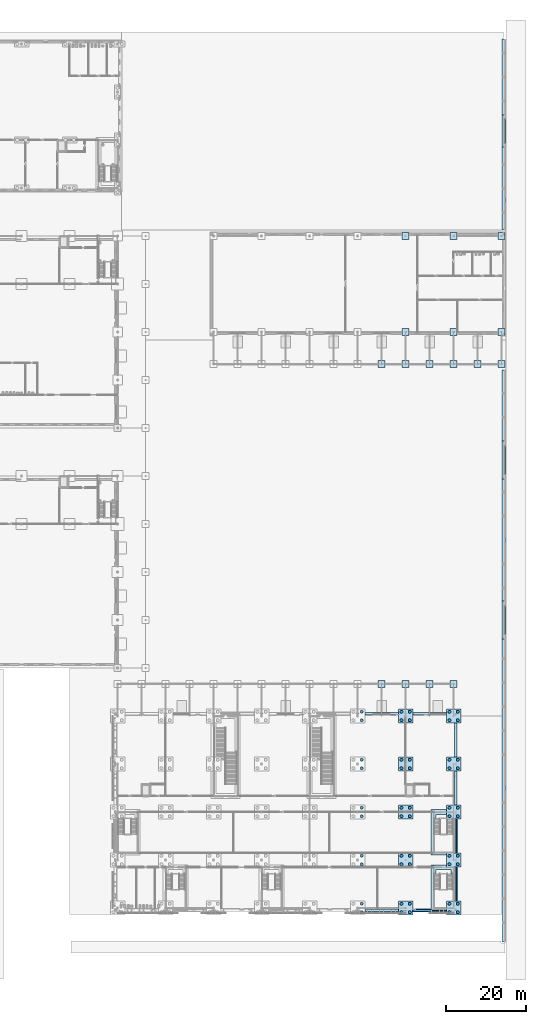
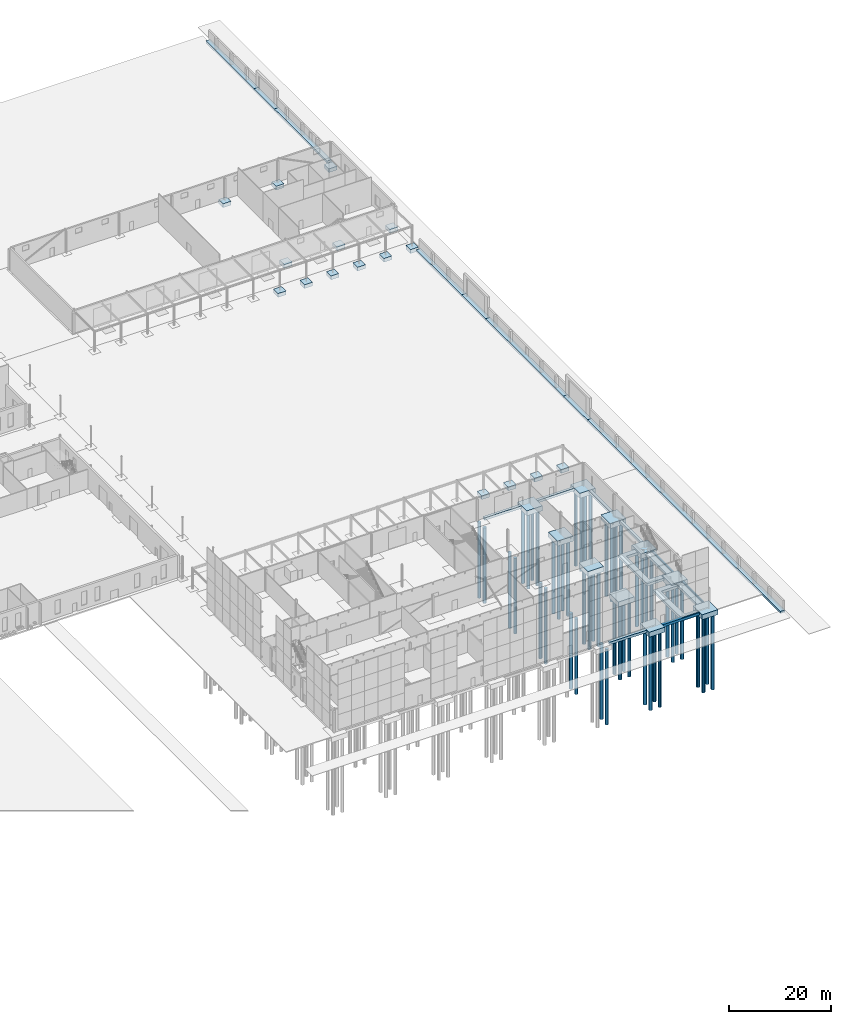
# One storey, part 7 of 132: 50 piles, 44 footings.
"""IFC4 building model written with IfcOpenShell, lengths in metres."""

from ifc_helpers import new_model, si_unit, direction, frame, origin, origin_2d, place, context, subcontext, project, spatial, polyline, rectangle, circle, outline, extrude, material, material_profile, profile_set, type_object, element, save


model = new_model("IFC4")

# Units and contexts
model_context = context("Model", 3, precision=1e-05, world=origin(), true_north=direction((0.0, 1.0)))
body_context = subcontext(model_context, "Body", "Model", "MODEL_VIEW")
ifc_project = project(units=[si_unit("LENGTHUNIT", "METRE"), si_unit("AREAUNIT", "SQUARE_METRE"), si_unit("VOLUMEUNIT", "CUBIC_METRE"), si_unit("PLANEANGLEUNIT", "RADIAN"), si_unit("MASSUNIT", "GRAM", prefix="KILO")], contexts=[model_context])

# Site, building, storey
site_placement = place(None, origin())
site = spatial("IfcSite", under=ifc_project, at=site_placement, CompositionType="ELEMENT")
building_placement = place(site_placement, origin())
building = spatial("IfcBuilding", under=site, at=building_placement, Name="Ravi Spectrum Wholesale Market", CompositionType="ELEMENT")
storey_placement = place(building_placement, origin())
storey = spatial("IfcBuildingStorey", under=building, at=storey_placement, Name="L00", CompositionType="ELEMENT", Elevation=0.0)

# Piles
ifc_material_1 = material(Name="Concrete C35/45", Category="concrete")
ifc_material_profile = material_profile(ifc_material_1, circle(Radius=0.375, at=origin_2d()))
ifc_profile_set = profile_set([ifc_material_profile], Name="Concrete C35/45")
pile_type = type_object("IfcPileType", Name="Bored pile D750", PredefinedType="BORED", material=ifc_profile_set)
for number, where, z_axis, x_axis, name in (
    (1, (259.050048828125, 16.949951171875, -1.10009765625), (0.0, 0.0, -1.0), (1.0, 0.0, 0.0), "CS-PL-L00-102"),
    (2, (259.050048828125, 19.050048828125, -1.10009765625), (0.0, 0.0, -1.0), (1.0, 0.0, 0.0), "CS-PL-L00-103"),
    (3, (259.050048828125, 28.949951171875, -1.10009765625), (0.0, 0.0, -1.0), (1.0, 0.0, 0.0), "CS-PL-L00-106"),
    (4, (259.050048828125, 31.050048828125, -1.10009765625), (0.0, 0.0, -1.0), (1.0, 0.0, 0.0), "CS-PL-L00-107"),
    (5, (259.050048828125, 40.949951171875, -1.10009765625), (0.0, 0.0, -1.0), (1.0, 0.0, 0.0), "CS-PL-L00-110"),
    (6, (259.050048828125, 43.050048828125, -1.10009765625), (0.0, 0.0, -1.0), (1.0, 0.0, 0.0), "CS-PL-L00-111"),
    (7, (259.050048828125, 52.949951171875, -1.10009765625), (0.0, 0.0, -1.0), (1.0, 0.0, 0.0), "CS-PL-L00-114"),
    (8, (259.050048828125, 55.050048828125, -1.10009765625), (0.0, 0.0, -1.0), (1.0, 0.0, 0.0), "CS-PL-L00-115"),
    (9, (259.050048828125, 64.949951171875, -1.10009765625), (0.0, 0.0, -1.0), (1.0, 0.0, 0.0), "CS-PL-L00-118"),
    (10, (259.050048828125, 67.050048828125, -1.10009765625), (0.0, 0.0, -1.0), (1.0, 0.0, 0.0), "CS-PL-L00-119"),
    (11, (268.949951171875, 16.949951171875, -1.10009765625), (0.0, 0.0, -1.0), (1.0, 0.0, 0.0), "CS-PL-L00-121"),
    (12, (271.050048828125, 16.949951171875, -1.10009765625), (0.0, 0.0, -1.0), (1.0, 0.0, 0.0), "CS-PL-L00-122"),
    (13, (271.050048828125, 19.050048828125, -1.10009765625), (0.0, 0.0, -1.0), (1.0, 0.0, 0.0), "CS-PL-L00-123"),
    (14, (268.949951171875, 19.050048828125, -1.10009765625), (0.0, 0.0, -1.0), (1.0, 0.0, 0.0), "CS-PL-L00-124"),
    (15, (268.949951171875, 28.949951171875, -1.10009765625), (0.0, 0.0, -1.0), (1.0, 0.0, 0.0), "CS-PL-L00-125"),
    (16, (271.050048828125, 28.949951171875, -1.10009765625), (0.0, 0.0, -1.0), (1.0, 0.0, 0.0), "CS-PL-L00-126"),
    (17, (271.050048828125, 31.050048828125, -1.10009765625), (0.0, 0.0, -1.0), (1.0, 0.0, 0.0), "CS-PL-L00-127"),
    (18, (268.949951171875, 31.050048828125, -1.10009765625), (0.0, 0.0, -1.0), (1.0, 0.0, 0.0), "CS-PL-L00-128"),
    (19, (268.949951171875, 40.949951171875, -1.10009765625), (0.0, 0.0, -1.0), (1.0, 0.0, 0.0), "CS-PL-L00-129"),
    (20, (271.050048828125, 40.949951171875, -1.10009765625), (0.0, 0.0, -1.0), (1.0, 0.0, 0.0), "CS-PL-L00-130"),
    (21, (271.050048828125, 43.050048828125, -1.10009765625), (0.0, 0.0, -1.0), (1.0, 0.0, 0.0), "CS-PL-L00-131"),
    (22, (268.949951171875, 43.050048828125, -1.10009765625), (0.0, 0.0, -1.0), (1.0, 0.0, 0.0), "CS-PL-L00-132"),
    (23, (268.949951171875, 52.949951171875, -1.10009765625), (0.0, 0.0, -1.0), (1.0, 0.0, 0.0), "CS-PL-L00-133"),
    (24, (271.050048828125, 52.949951171875, -1.10009765625), (0.0, 0.0, -1.0), (1.0, 0.0, 0.0), "CS-PL-L00-134"),
    (25, (271.050048828125, 55.050048828125, -1.10009765625), (0.0, 0.0, -1.0), (1.0, 0.0, 0.0), "CS-PL-L00-135"),
    (26, (268.949951171875, 55.050048828125, -1.10009765625), (0.0, 0.0, -1.0), (1.0, 0.0, 0.0), "CS-PL-L00-136"),
    (27, (268.949951171875, 64.949951171875, -1.10009765625), (0.0, 0.0, -1.0), (1.0, 0.0, 0.0), "CS-PL-L00-137"),
    (28, (271.050048828125, 64.949951171875, -1.10009765625), (0.0, 0.0, -1.0), (1.0, 0.0, 0.0), "CS-PL-L00-138"),
    (29, (271.050048828125, 67.050048828125, -1.10009765625), (0.0, 0.0, -1.0), (1.0, 0.0, 0.0), "CS-PL-L00-139"),
    (30, (268.949951171875, 67.050048828125, -1.10009765625), (0.0, 0.0, -1.0), (1.0, 0.0, 0.0), "CS-PL-L00-140"),
    (31, (280.949951171875, 16.949951171875, -1.10009765625), (0.0, 0.0, -1.0), (1.0, 0.0, 0.0), "CS-PL-L00-141"),
    (32, (283.050048828125, 16.949951171875, -1.10009765625), (0.0, 0.0, -1.0), (1.0, 0.0, 0.0), "CS-PL-L00-142"),
    (33, (283.050048828125, 19.050048828125, -1.10009765625), (0.0, 0.0, -1.0), (1.0, 0.0, 0.0), "CS-PL-L00-143"),
    (34, (280.949951171875, 19.050048828125, -1.10009765625), (0.0, 0.0, -1.0), (1.0, 0.0, 0.0), "CS-PL-L00-144"),
    (35, (280.949951171875, 28.949951171875, -1.10009765625), (0.0, 0.0, -1.0), (1.0, 0.0, 0.0), "CS-PL-L00-145"),
    (36, (283.050048828125, 28.949951171875, -1.10009765625), (0.0, 0.0, -1.0), (1.0, 0.0, 0.0), "CS-PL-L00-146"),
    (37, (283.050048828125, 31.050048828125, -1.10009765625), (0.0, 0.0, -1.0), (1.0, 0.0, 0.0), "CS-PL-L00-147"),
    (38, (280.949951171875, 31.050048828125, -1.10009765625), (0.0, 0.0, -1.0), (1.0, 0.0, 0.0), "CS-PL-L00-148"),
    (39, (280.949951171875, 40.949951171875, -1.10009765625), (0.0, 0.0, -1.0), (1.0, 0.0, 0.0), "CS-PL-L00-149"),
    (40, (283.050048828125, 40.949951171875, -1.10009765625), (0.0, 0.0, -1.0), (1.0, 0.0, 0.0), "CS-PL-L00-150"),
    (41, (283.050048828125, 43.050048828125, -1.10009765625), (0.0, 0.0, -1.0), (1.0, 0.0, 0.0), "CS-PL-L00-151"),
    (42, (280.949951171875, 43.050048828125, -1.10009765625), (0.0, 0.0, -1.0), (1.0, 0.0, 0.0), "CS-PL-L00-152"),
    (43, (280.949951171875, 52.949951171875, -1.10009765625), (0.0, 0.0, -1.0), (1.0, 0.0, 0.0), "CS-PL-L00-153"),
    (44, (283.050048828125, 52.949951171875, -1.10009765625), (0.0, 0.0, -1.0), (1.0, 0.0, 0.0), "CS-PL-L00-154"),
    (45, (283.050048828125, 55.050048828125, -1.10009765625), (0.0, 0.0, -1.0), (1.0, 0.0, 0.0), "CS-PL-L00-155"),
    (46, (280.949951171875, 55.050048828125, -1.10009765625), (0.0, 0.0, -1.0), (1.0, 0.0, 0.0), "CS-PL-L00-156"),
    (47, (280.949951171875, 64.949951171875, -1.10009765625), (0.0, 0.0, -1.0), (1.0, 0.0, 0.0), "CS-PL-L00-157"),
    (48, (283.050048828125, 64.949951171875, -1.10009765625), (0.0, 0.0, -1.0), (1.0, 0.0, 0.0), "CS-PL-L00-158"),
    (49, (283.050048828125, 67.050048828125, -1.10009765625), (0.0, 0.0, -1.0), (1.0, 0.0, 0.0), "CS-PL-L00-159"),
    (50, (280.949951171875, 67.050048828125, -1.10009765625), (0.0, 0.0, -1.0), (1.0, 0.0, 0.0), "CS-PL-L00-160"),
):
    element("IfcPile", number, at=place(storey_placement, frame(where, z_axis=z_axis, x_axis=x_axis)), inside=storey, type_object=pile_type, Name=name, PredefinedType="BORED", context=body_context, shape_type="SweptSolid", body=[
        extrude(circle(Radius=0.375, at=origin_2d()), origin(), (0.0, 0.0, 1.0), 18.10009765625),
    ])

# Footings
ifc_material_2 = material(Name="Concrete C35/45", Category="concrete")
footing_type_1 = type_object("IfcFootingType", Name="Boundary strip footing 1000 x 500", PredefinedType="STRIP_FOOTING", material=ifc_material_2)
footing_1_placement = place(storey_placement, frame((0.0, 0.0, -0.5)))
element("IfcFooting", 51, at=footing_1_placement, inside=storey, type_object=footing_type_1, Name="Boundary strip footing", PredefinedType="STRIP_FOOTING", context=body_context, shape_type="SweptSolid", body=[
    extrude(outline(polyline([(294.10009765625, 85.300048828125), (295.10009765625, 85.300048828125), (295.10009765625, 94.699951171875), (294.10009765625, 94.699951171875), (294.10009765625, 85.300048828125)])), origin(), (0.0, 0.0, 1.0), 0.5),
])
footing_2_placement = place(storey_placement, frame((0.0, 0.0, -0.5)))
element("IfcFooting", 52, at=footing_2_placement, inside=storey, type_object=footing_type_1, Name="Boundary strip footing", PredefinedType="STRIP_FOOTING", context=body_context, shape_type="SweptSolid", body=[
    extrude(outline(polyline([(294.10009765625, 125.300048828125), (295.10009765625, 125.300048828125), (295.10009765625, 134.699951171875), (294.10009765625, 134.699951171875), (294.10009765625, 125.300048828125)])), origin(), (0.0, 0.0, 1.0), 0.5),
])
footing_3_placement = place(storey_placement, frame((0.0, 0.0, -0.5)))
element("IfcFooting", 53, at=footing_3_placement, inside=storey, type_object=footing_type_1, Name="Boundary strip footing", PredefinedType="STRIP_FOOTING", context=body_context, shape_type="SweptSolid", body=[
    extrude(outline(polyline([(294.10009765625, 208.25), (295.10009765625, 208.25), (295.10009765625, 216.25), (294.10009765625, 216.25), (294.10009765625, 208.25)])), origin(), (0.0, 0.0, 1.0), 0.5),
])
footing_4_placement = place(storey_placement, frame((0.0, 0.0, -0.5)))
element("IfcFooting", 54, at=footing_4_placement, inside=storey, type_object=footing_type_1, Name="Boundary strip footing", PredefinedType="STRIP_FOOTING", context=body_context, shape_type="SweptSolid", body=[
    extrude(outline(polyline([(294.10009765625, 9.5), (295.10009765625, 9.5), (295.10009765625, 85.300048828125), (294.10009765625, 85.300048828125), (294.10009765625, 9.5)])), origin(), (0.0, 0.0, 1.0), 0.5),
])
footing_5_placement = place(storey_placement, frame((0.0, 0.0, -0.5)))
element("IfcFooting", 55, at=footing_5_placement, inside=storey, type_object=footing_type_1, Name="Boundary strip footing", PredefinedType="STRIP_FOOTING", context=body_context, shape_type="SweptSolid", body=[
    extrude(outline(polyline([(294.10009765625, 94.699951171875), (295.10009765625, 94.699951171875), (295.10009765625, 125.300048828125), (294.10009765625, 125.300048828125), (294.10009765625, 94.699951171875)])), origin(), (0.0, 0.0, 1.0), 0.5),
])
footing_6_placement = place(storey_placement, frame((0.0, 0.0, -0.5)))
element("IfcFooting", 56, at=footing_6_placement, inside=storey, type_object=footing_type_1, Name="Boundary strip footing", PredefinedType="STRIP_FOOTING", context=body_context, shape_type="SweptSolid", body=[
    extrude(outline(polyline([(294.10009765625, 134.699951171875), (295.10009765625, 134.699951171875), (295.10009765625, 152.5), (294.10009765625, 152.5), (294.10009765625, 134.699951171875)])), origin(), (0.0, 0.0, 1.0), 0.5),
])
footing_7_placement = place(storey_placement, frame((0.0, 0.0, -0.5)))
element("IfcFooting", 57, at=footing_7_placement, inside=storey, type_object=footing_type_1, Name="Boundary strip footing", PredefinedType="STRIP_FOOTING", context=body_context, shape_type="SweptSolid", body=[
    extrude(outline(polyline([(294.10009765625, 187.60009765625), (295.10009765625, 187.60009765625), (295.10009765625, 208.25), (294.10009765625, 208.25), (294.10009765625, 187.60009765625)])), origin(), (0.0, 0.0, 1.0), 0.5),
])
footing_8_placement = place(storey_placement, frame((0.0, 0.0, -0.5)))
element("IfcFooting", 58, at=footing_8_placement, inside=storey, type_object=footing_type_1, Name="Boundary strip footing", PredefinedType="STRIP_FOOTING", context=body_context, shape_type="SweptSolid", body=[
    extrude(outline(polyline([(294.10009765625, 216.25), (295.10009765625, 216.25), (295.10009765625, 235.199951171875), (294.10009765625, 235.199951171875), (294.10009765625, 216.25)])), origin(), (0.0, 0.0, 1.0), 0.5),
])
ifc_material_3 = material(Name="Concrete C35/45", Category="concrete")
footing_type_2 = type_object("IfcFootingType", Name="Facade plinth footing 650 x 600", PredefinedType="STRIP_FOOTING", material=ifc_material_3)
footing_9_placement = place(storey_placement, frame((0.0, 0.0, -0.60009765625)))
element("IfcFooting", 59, at=footing_9_placement, inside=storey, type_object=footing_type_2, Name="Facade plinth footing", PredefinedType="STRIP_FOOTING", context=body_context, shape_type="SweptSolid", body=[
    extrude(outline(polyline([(271.800048828125, 17.10009765625), (271.800048828125, 17.75), (276.39990234375, 17.75), (276.39990234375, 17.39990234375), (280.199951171875, 17.39990234375), (280.199951171875, 17.10009765625), (271.800048828125, 17.10009765625)])), origin(), (0.0, 0.0, 1.0), 0.60009765625),
])
footing_10_placement = place(storey_placement, frame((0.0, 0.0, -0.60009765625)))
element("IfcFooting", 60, at=footing_10_placement, inside=storey, type_object=footing_type_2, Name="Facade plinth footing", PredefinedType="STRIP_FOOTING", context=body_context, shape_type="SweptSolid", body=[
    extrude(outline(polyline([(282.25, 55.800048828125), (282.25, 64.199951171875), (282.89990234375, 64.199951171875), (282.89990234375, 55.800048828125), (282.25, 55.800048828125)])), origin(), (0.0, 0.0, 1.0), 0.60009765625),
])
footing_11_placement = place(storey_placement, frame((0.0, 0.0, -0.60009765625)))
element("IfcFooting", 61, at=footing_11_placement, inside=storey, type_object=footing_type_2, Name="Facade plinth footing", PredefinedType="STRIP_FOOTING", context=body_context, shape_type="SweptSolid", body=[
    extrude(outline(polyline([(271.800048828125, 66.89990234375), (280.199951171875, 66.89990234375), (280.199951171875, 66.25), (271.800048828125, 66.25), (271.800048828125, 66.89990234375)])), origin(), (0.0, 0.0, 1.0), 0.60009765625),
])
footing_12_placement = place(storey_placement, frame((0.0, 0.0, -0.60009765625)))
element("IfcFooting", 62, at=footing_12_placement, inside=storey, type_object=footing_type_2, Name="Facade plinth footing", PredefinedType="STRIP_FOOTING", context=body_context, shape_type="SweptSolid", body=[
    extrude(outline(polyline([(282.25, 52.199951171875), (282.89990234375, 52.199951171875), (282.89990234375, 43.800048828125), (282.25, 43.800048828125), (282.25, 52.199951171875)])), origin(), (0.0, 0.0, 1.0), 0.60009765625),
])
footing_13_placement = place(storey_placement, frame((0.0, 0.0, -0.60009765625)))
element("IfcFooting", 63, at=footing_13_placement, inside=storey, type_object=footing_type_2, Name="Facade plinth footing", PredefinedType="STRIP_FOOTING", context=body_context, shape_type="SweptSolid", body=[
    extrude(outline(polyline([(282.89990234375, 31.800048828125), (282.60009765625, 31.800048828125), (282.60009765625, 40.199951171875), (282.89990234375, 40.199951171875), (282.89990234375, 31.800048828125)])), origin(), (0.0, 0.0, 1.0), 0.60009765625),
])
footing_14_placement = place(storey_placement, frame((0.0, 0.0, -0.60009765625)))
element("IfcFooting", 64, at=footing_14_placement, inside=storey, type_object=footing_type_2, Name="Facade plinth footing", PredefinedType="STRIP_FOOTING", context=body_context, shape_type="SweptSolid", body=[
    extrude(outline(polyline([(282.60009765625, 19.800048828125), (282.60009765625, 28.199951171875), (282.89990234375, 28.199951171875), (282.89990234375, 19.800048828125), (282.60009765625, 19.800048828125)])), origin(), (0.0, 0.0, 1.0), 0.60009765625),
])
footing_15_placement = place(storey_placement, frame((0.0, 0.0, -0.60009765625)))
element("IfcFooting", 65, at=footing_15_placement, inside=storey, type_object=footing_type_2, Name="Facade plinth footing", PredefinedType="STRIP_FOOTING", context=body_context, shape_type="SweptSolid", body=[
    extrude(outline(polyline([(268.199951171875, 66.89990234375), (268.199951171875, 66.25), (259.800048828125, 66.25), (259.800048828125, 66.89990234375), (268.199951171875, 66.89990234375)])), origin(), (0.0, 0.0, 1.0), 0.60009765625),
])
footing_16_placement = place(storey_placement, frame((0.0, 0.0, -0.60009765625)))
element("IfcFooting", 66, at=footing_16_placement, inside=storey, type_object=footing_type_2, Name="Facade plinth footing", PredefinedType="STRIP_FOOTING", context=body_context, shape_type="SweptSolid", body=[
    extrude(outline(polyline([(268.199951171875, 17.75), (268.199951171875, 17.10009765625), (259.800048828125, 17.10009765625), (259.800048828125, 17.75), (268.199951171875, 17.75)])), origin(), (0.0, 0.0, 1.0), 0.60009765625),
])
ifc_material_4 = material(Name="Concrete C35/45", Category="concrete")
footing_type_3 = type_object("IfcFootingType", Name="Pad footing 1800x1800x900", PredefinedType="PAD_FOOTING", material=ifc_material_4)
for number, where, z_axis, x_axis, name in (
    (67, (264.0, 74.0, -0.89990234375), (0.0, 0.0, 1.0), (1.0, 0.0, 0.0), "CS-PF-L00-012"),
    (68, (270.0, 74.0, -0.89990234375), (0.0, 0.0, 1.0), (1.0, 0.0, 0.0), "CS-PF-L00-013"),
    (69, (276.0, 74.0, -0.89990234375), (0.0, 0.0, 1.0), (1.0, 0.0, 0.0), "CS-PF-L00-014"),
    (70, (282.0, 74.0, -0.89990234375), (0.0, 0.0, 1.0), (1.0, 0.0, 0.0), "CS-PF-L00-015"),
    (71, (270.0, 162.0, -0.89990234375), (0.0, 0.0, 1.0), (1.0, 0.0, 0.0), "GS-PF-L00-009"),
    (72, (270.0, 186.0, -0.89990234375), (0.0, 0.0, 1.0), (1.0, 0.0, 0.0), "GS-PF-L00-010"),
    (73, (282.0, 162.0, -0.89990234375), (0.0, 0.0, 1.0), (1.0, 0.0, 0.0), "GS-PF-L00-011"),
    (74, (282.0, 186.0, -0.89990234375), (0.0, 0.0, 1.0), (1.0, 0.0, 0.0), "GS-PF-L00-012"),
    (75, (294.0, 162.0, -0.89990234375), (0.0, 0.0, 1.0), (1.0, 0.0, 0.0), "GS-PF-L00-013"),
    (76, (294.0, 186.0, -0.89990234375), (0.0, 0.0, 1.0), (1.0, 0.0, 0.0), "GS-PF-L00-014"),
    (77, (264.0, 154.0, -0.89990234375), (0.0, 0.0, 1.0), (1.0, 0.0, 0.0), "GS-PF-L00-022"),
    (78, (270.0, 154.0, -0.89990234375), (0.0, 0.0, 1.0), (1.0, 0.0, 0.0), "GS-PF-L00-023"),
    (79, (276.0, 154.0, -0.89990234375), (0.0, 0.0, 1.0), (1.0, 0.0, 0.0), "GS-PF-L00-024"),
    (80, (282.0, 154.0, -0.89990234375), (0.0, 0.0, 1.0), (1.0, 0.0, 0.0), "GS-PF-L00-025"),
    (81, (288.0, 154.0, -0.89990234375), (0.0, 0.0, 1.0), (1.0, 0.0, 0.0), "GS-PF-L00-026"),
    (82, (294.0, 154.0, -0.89990234375), (0.0, 0.0, 1.0), (1.0, 0.0, 0.0), "GS-PF-L00-027"),
):
    element("IfcFooting", number, at=place(storey_placement, frame(where, z_axis=z_axis, x_axis=x_axis)), inside=storey, type_object=footing_type_3, Name=name, PredefinedType="PAD_FOOTING", context=body_context, shape_type="SweptSolid", body=[
        extrude(rectangle(XDim=1.800048828125, YDim=1.800048828125, at=origin_2d()), origin(), (0.0, 0.0, 1.0), 0.89990234375),
    ])
ifc_material_5 = material(Name="Concrete C35/45", Category="concrete")
footing_type_4 = type_object("IfcFootingType", Name="Pile cap 4 piles 3600x3600x1200", PredefinedType="PILE_CAP", material=ifc_material_5)
for number, where, z_axis, x_axis, name in (
    (83, (270.0, 18.0, -1.2001953125), (0.0, 0.0, 1.0), (1.0, 0.0, 0.0), "CS-PC-L00-031"),
    (84, (270.0, 30.0, -1.2001953125), (0.0, 0.0, 1.0), (1.0, 0.0, 0.0), "CS-PC-L00-032"),
    (85, (270.0, 42.0, -1.2001953125), (0.0, 0.0, 1.0), (1.0, 0.0, 0.0), "CS-PC-L00-033"),
    (86, (270.0, 54.0, -1.2001953125), (0.0, 0.0, 1.0), (1.0, 0.0, 0.0), "CS-PC-L00-034"),
    (87, (270.0, 66.0, -1.2001953125), (0.0, 0.0, 1.0), (1.0, 0.0, 0.0), "CS-PC-L00-035"),
    (88, (282.0, 18.0, -1.2001953125), (0.0, 0.0, 1.0), (1.0, 0.0, 0.0), "CS-PC-L00-036"),
    (89, (282.0, 30.0, -1.2001953125), (0.0, 0.0, 1.0), (1.0, 0.0, 0.0), "CS-PC-L00-037"),
    (90, (282.0, 42.0, -1.2001953125), (0.0, 0.0, 1.0), (1.0, 0.0, 0.0), "CS-PC-L00-038"),
    (91, (282.0, 54.0, -1.2001953125), (0.0, 0.0, 1.0), (1.0, 0.0, 0.0), "CS-PC-L00-039"),
    (92, (282.0, 66.0, -1.2001953125), (0.0, 0.0, 1.0), (1.0, 0.0, 0.0), "CS-PC-L00-040"),
):
    element("IfcFooting", number, at=place(storey_placement, frame(where, z_axis=z_axis, x_axis=x_axis)), inside=storey, type_object=footing_type_4, Name=name, PredefinedType="PILE_CAP", context=body_context, shape_type="SweptSolid", body=[
        extrude(rectangle(XDim=3.60009765625, YDim=3.60009765625, at=origin_2d()), origin(), (0.0, 0.0, 1.0), 1.199951171875),
    ])
ifc_material_6 = material(Name="Concrete C35/45", Category="concrete")
footing_type_5 = type_object("IfcFootingType", Name="Strip footing 1200x600", PredefinedType="STRIP_FOOTING", material=ifc_material_6)
footing_17_placement = place(storey_placement, frame((0.0, 0.0, -0.89990234375)))
element("IfcFooting", 93, at=footing_17_placement, inside=storey, type_object=footing_type_5, Name="CS-SF-L00-002", PredefinedType="STRIP_FOOTING", context=body_context, shape_type="SweptSolid", body=[
    extrude(outline(polyline([(276.39990234375, 42.60009765625), (280.199951171875, 42.60009765625), (280.199951171875, 41.39990234375), (277.60009765625, 41.39990234375), (277.60009765625, 32.39990234375), (281.39990234375, 32.39990234375), (281.39990234375, 40.199951171875), (282.60009765625, 40.199951171875), (282.60009765625, 31.800048828125), (280.199951171875, 31.800048828125), (280.199951171875, 31.199951171875), (276.39990234375, 31.199951171875), (276.39990234375, 42.60009765625)])), origin(), (0.0, 0.0, 1.0), 0.599853515625),
])
footing_18_placement = place(storey_placement, frame((0.0, 0.0, -0.89990234375)))
element("IfcFooting", 94, at=footing_18_placement, inside=storey, type_object=footing_type_5, Name="CS-SF-L00-009", PredefinedType="STRIP_FOOTING", context=body_context, shape_type="SweptSolid", body=[
    extrude(outline(polyline([(276.39990234375, 28.800048828125), (280.199951171875, 28.800048828125), (280.199951171875, 28.199951171875), (282.60009765625, 28.199951171875), (282.60009765625, 19.800048828125), (281.39990234375, 19.800048828125), (281.39990234375, 27.60009765625), (277.60009765625, 27.60009765625), (277.60009765625, 18.60009765625), (280.199951171875, 18.60009765625), (280.199951171875, 17.39990234375), (276.39990234375, 17.39990234375), (276.39990234375, 28.800048828125)])), origin(), (0.0, 0.0, 1.0), 0.599853515625),
])

save(model, "model.ifc")
